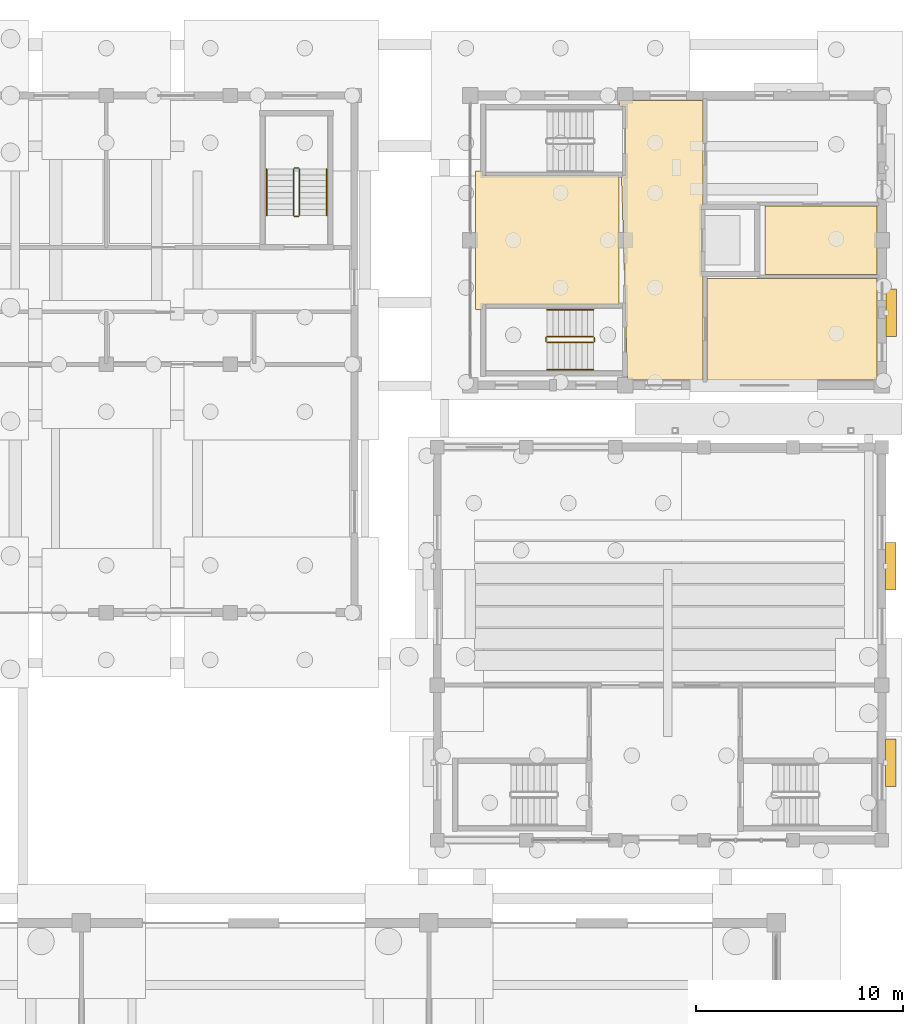
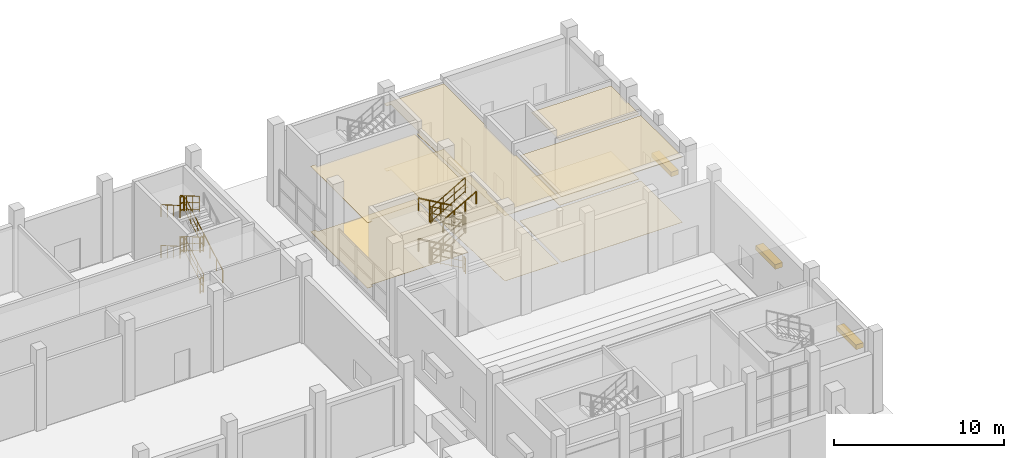
# One storey, part 58 of 60: 22 railings, 8 coverings, 3 shading devices.
"""IFC4 building model written with IfcOpenShell, lengths in metres."""

import ifcopenshell
import ifcopenshell.guid

model = None  # the IFC model being written
_history = None  # IfcOwnerHistory: only IFC2X3 demands one
_inside = {}  # id of a spatial element -> (the spatial element, [elements in it])
_under = {}  # id of a project, library or spatial element -> (it, [spatial elements below it])
_declared = {}  # id of a project -> (the project, [libraries it declares])
_typed = {}  # id of a type object -> (the type object, [elements of that type])
_made_of = {}  # id of a material, layer set ... -> (it, [elements and type objects made of it])


def new_model(schema):
    """Start an empty IFC model of exactly this schema.

    Asked for "IFC4X3", IfcOpenShell would pick the latest addendum, in which some entities
    have other attributes; the version numbers below select the first issue.
    IFC2X3 requires an IfcOwnerHistory on every rooted entity: one is made here for all.
    """
    global model, _history
    if schema == "IFC4X3":
        model = ifcopenshell.file(schema_version=(4, 3, 0, 0))
    else:
        model = ifcopenshell.file(schema=schema)
    _inside.clear()
    _under.clear()
    _declared.clear()
    _typed.clear()
    _made_of.clear()
    _history = None
    if model.schema == "IFC2X3":
        org = make("IfcOrganization", Name="unknown")
        user = make(
            "IfcPersonAndOrganization",
            ThePerson=make("IfcPerson", FamilyName="unknown"),
            TheOrganization=org,
        )
        app = make(
            "IfcApplication",
            ApplicationDeveloper=org,
            Version="unknown",
            ApplicationFullName="unknown",
            ApplicationIdentifier="unknown",
        )
        _history = make(
            "IfcOwnerHistory",
            OwningUser=user,
            OwningApplication=app,
            ChangeAction="ADDED",
            CreationDate=0,
        )
    return model


def make(cls, **values):
    """One entity of the class cls with the attributes given. An attribute that is None is left unset."""
    return model.create_entity(
        cls, **{name: value for name, value in values.items() if value is not None}
    )


def rooted(cls, **values):
    """An entity with a GlobalId (a new one), such as an element, a storey or a relation."""
    return make(cls, GlobalId=ifcopenshell.guid.new(), OwnerHistory=_history, **values)


def si_unit(unit_type, name, prefix=None):
    """IfcSIUnit, for example si_unit("LENGTHUNIT", "METRE", prefix="MILLI")."""
    return make("IfcSIUnit", UnitType=unit_type, Prefix=prefix, Name=name)


def assignment(units):
    """IfcUnitAssignment: the units of a project."""
    return None if units is None else make("IfcUnitAssignment", Units=units)


def point(xyz):
    """IfcCartesianPoint."""
    return None if xyz is None else make("IfcCartesianPoint", Coordinates=xyz)


def direction(xyz):
    """IfcDirection."""
    return None if xyz is None else make("IfcDirection", DirectionRatios=xyz)


def frame(location, z_axis=None, x_axis=None):
    """IfcAxis2Placement3D, a coordinate frame: its origin and axes. An axis left out is left unset."""
    return make(
        "IfcAxis2Placement3D",
        Location=point(location),
        Axis=direction(z_axis),
        RefDirection=direction(x_axis),
    )


def frame_2d(location, x_axis=None):
    """IfcAxis2Placement2D, a coordinate frame in the plane: its origin and x axis."""
    return make(
        "IfcAxis2Placement2D", Location=point(location), RefDirection=direction(x_axis)
    )


def origin():
    """The frame at (0, 0, 0) with its axes left unset."""
    return frame((0.0, 0.0, 0.0))


def origin_2d():
    """The frame at (0, 0) in the plane with its x axis left unset."""
    return frame_2d((0.0, 0.0))


def place(relative_to, where):
    """IfcLocalPlacement: puts the frame where relative to a parent placement (None: the world)."""
    return make(
        "IfcLocalPlacement", PlacementRelTo=relative_to, RelativePlacement=where
    )


def context(
    kind, dimensions, precision=None, world=None, true_north=None, identifier=None
):
    """IfcGeometricRepresentationContext, for example the 3D "Model" context."""
    return make(
        "IfcGeometricRepresentationContext",
        ContextIdentifier=identifier,
        ContextType=kind,
        CoordinateSpaceDimension=dimensions,
        Precision=precision,
        WorldCoordinateSystem=world,
        TrueNorth=true_north,
    )


def subcontext(parent, identifier, kind, view, scale=None):
    """IfcGeometricRepresentationSubContext, for example "Body" below "Model"."""
    return make(
        "IfcGeometricRepresentationSubContext",
        ContextIdentifier=identifier,
        ContextType=kind,
        ParentContext=parent,
        TargetScale=scale,
        TargetView=view,
    )


def project(units=None, contexts=None):
    """IfcProject with its units and contexts."""
    return rooted(
        "IfcProject",
        Name="project",
        RepresentationContexts=contexts,
        UnitsInContext=assignment(units),
    )


def spatial(cls, under=None, at=None, **own):
    """A site, building, storey or space (cls), placed at a placement, below another one or the project."""
    s = rooted(cls, ObjectPlacement=at, **own)
    if under is not None:
        _under.setdefault(under.id(), (under, []))[1].append(s)
    return s


def polyline(points):
    """IfcPolyline through the points."""
    return make("IfcPolyline", Points=[point(p) for p in points])


def profile(cls, at=None, kind="AREA", **sizes):
    """A parametric profile (cls). Its sizes go by their IFC names, for example OverallWidth=200.0."""
    return make(cls, ProfileType=kind, Position=at, **sizes)


def rectangle(**sizes):
    """IfcRectangleProfileDef."""
    return profile("IfcRectangleProfileDef", **sizes)


def circle(**sizes):
    """IfcCircleProfileDef."""
    return profile("IfcCircleProfileDef", **sizes)


def outline(outer, holes=None, kind="AREA"):
    """IfcArbitraryClosedProfileDef: a profile drawn as a closed curve; with holes, ...WithVoids."""
    if holes is None:
        return make("IfcArbitraryClosedProfileDef", ProfileType=kind, OuterCurve=outer)
    return make(
        "IfcArbitraryProfileDefWithVoids",
        ProfileType=kind,
        OuterCurve=outer,
        InnerCurves=holes,
    )


def extrude(swept, where, along, depth):
    """IfcExtrudedAreaSolid: the profile swept, set in the frame where, extruded along a direction by depth."""
    return make(
        "IfcExtrudedAreaSolid",
        SweptArea=swept,
        Position=where,
        ExtrudedDirection=direction(along),
        Depth=depth,
    )


def shape(context_of_items, identifier, shape_type, items):
    """IfcShapeRepresentation: the items that make up one representation, for example the "Body"."""
    return make(
        "IfcShapeRepresentation",
        ContextOfItems=context_of_items,
        RepresentationIdentifier=identifier,
        RepresentationType=shape_type,
        Items=items,
    )


def material(Name=None, Category=None):
    """IfcMaterial."""
    return make("IfcMaterial", Name=Name, Category=Category)


def layer(
    of_material, thickness, ventilated=None, Name=None, Category=None, Priority=None
):
    """IfcMaterialLayer: one layer of a wall or slab, of a material (None: an air gap)."""
    return make(
        "IfcMaterialLayer",
        Material=of_material,
        LayerThickness=thickness,
        IsVentilated=ventilated,
        Name=Name,
        Category=Category,
        Priority=Priority,
    )


def layer_set(layers, Name=None):
    """IfcMaterialLayerSet."""
    return make("IfcMaterialLayerSet", MaterialLayers=layers, LayerSetName=Name)


def made_of(thing, what):
    """Note that an element or type object is made of a material, layer set ...; save() writes the relation."""
    if what is not None:
        _made_of.setdefault(what.id(), (what, []))[1].append(thing)
    return thing


def type_object(cls, material=None, **own):
    """A type object (cls), such as IfcWallType, which elements share."""
    return made_of(rooted(cls, **own), material)


def element(
    cls,
    number,
    at=None,
    inside=None,
    cuts=None,
    type_object=None,
    material=None,
    context=None,
    identifier="Body",
    shape_type=None,
    held_by="IfcProductDefinitionShape",
    body=None,
    shapes=None,
    **own,
):
    """One element of the class cls, such as IfcWall. Its Tag is "e" and its number.

    at: its placement. inside: the storey or other place that contains it. cuts: it is an
    opening in that element (IfcRelVoidsElement). A single representation is given by context,
    identifier, shape_type and body (its items); several are given by shapes. held_by: the class
    of the entity that holds the representations. save() writes the other relations.
    """
    e = rooted(cls, Tag="e%d" % number, ObjectPlacement=at, **own)
    if body is not None:
        shapes = [shape(context, identifier, shape_type, body)]
    if shapes is not None:
        e.Representation = make(held_by, Representations=shapes)
    if inside is not None:
        _inside.setdefault(inside.id(), (inside, []))[1].append(e)
    if cuts is not None:
        rooted(
            "IfcRelVoidsElement", RelatingBuildingElement=cuts, RelatedOpeningElement=e
        )
    if type_object is not None:
        _typed.setdefault(type_object.id(), (type_object, []))[1].append(e)
    return made_of(e, material)


def aggregate(whole, parts):
    """IfcRelAggregates: a whole, such as a stair, and the parts it consists of."""
    return rooted("IfcRelAggregates", RelatingObject=whole, RelatedObjects=parts)


def save(model, path):
    """Write the relations noted so far, then the file.

    IfcRelAggregates (storeys below a building ...), IfcRelContainedInSpatialStructure (elements
    in a storey), IfcRelDefinesByType, IfcRelAssociatesMaterial and IfcRelDeclares: one each for
    every whole, place, type object, material and project.
    """
    for whole, parts in _under.values():
        aggregate(whole, parts)
    for where, things in _inside.values():
        rooted(
            "IfcRelContainedInSpatialStructure",
            RelatedElements=things,
            RelatingStructure=where,
        )
    for kind, things in _typed.values():
        rooted("IfcRelDefinesByType", RelatedObjects=things, RelatingType=kind)
    for what, things in _made_of.values():
        rooted("IfcRelAssociatesMaterial", RelatedObjects=things, RelatingMaterial=what)
    for by, libraries in _declared.values():
        rooted("IfcRelDeclares", RelatingContext=by, RelatedDefinitions=libraries)
    model.write(path)


model = new_model("IFC4")

# Units and contexts
model_context = context("Model", 3, precision=1e-05, world=origin(), true_north=direction((0.0, 1.0)))
body_context = subcontext(model_context, "Body", "Model", "MODEL_VIEW")
ifc_project = project(units=[si_unit("LENGTHUNIT", "METRE"), si_unit("AREAUNIT", "SQUARE_METRE"), si_unit("VOLUMEUNIT", "CUBIC_METRE"), si_unit("PLANEANGLEUNIT", "RADIAN"), si_unit("MASSUNIT", "GRAM", prefix="KILO")], contexts=[model_context])

# Site, building, storey
site_placement = place(None, origin())
site = spatial("IfcSite", under=ifc_project, at=site_placement, CompositionType="ELEMENT")
building_placement = place(site_placement, origin())
building = spatial("IfcBuilding", under=site, at=building_placement, Name="Trellovar Central Fire Station", CompositionType="ELEMENT")
storey_placement = place(building_placement, origin())
storey = spatial("IfcBuildingStorey", under=building, at=storey_placement, Name="L01", CompositionType="ELEMENT", Elevation=0.0)

# Coverings
ifc_material_1 = material(Name="Perforated acoustic mineral fiber ceiling tile", Category="mineral")
ifc_layer_1 = layer(ifc_material_1, 0.02490234375)
ifc_layer_set_1 = layer_set([ifc_layer_1], Name="Perforated acoustic mineral fiber ceiling tile")
covering_type_1 = type_object("IfcCoveringType", Name="COV-CLG1", PredefinedType="CEILING", material=ifc_layer_set_1)
covering_1_placement = place(storey_placement, frame((0.0, 0.0, 4.679931640625)))
element("IfcCovering", 1, at=covering_1_placement, inside=storey, type_object=covering_type_1, Name="Drill Tower Protected Exit Lobby suspended ceiling", PredefinedType="CEILING", context=body_context, shape_type="SweptSolid", body=[
    extrude(outline(polyline([(148.699951171875, 59.25), (148.610107421875, 62.287109375), (148.610107421875, 62.860107421875), (148.593017578125, 62.860107421875), (148.406982421875, 69.139892578125), (148.610107421875, 69.139892578125), (148.610107421875, 72.4599609375), (148.30908203125, 72.4599609375), (148.300048828125, 72.75), (152.35009765625, 72.75), (152.35009765625, 67.659912109375), (152.2900390625, 67.659912109375), (152.2900390625, 64.340087890625), (152.35009765625, 64.340087890625), (152.35009765625, 59.25), (148.699951171875, 59.25)])), origin(), (0.0, 0.0, 1.0), 0.025146484375),
])
covering_2_placement = place(storey_placement, frame((0.0, 0.0, 4.679931640625)))
element("IfcCovering", 2, at=covering_2_placement, inside=storey, type_object=covering_type_1, Name="Fire Command and Standpipe Control Room suspended ceiling", PredefinedType="CEILING", context=body_context, shape_type="SweptSolid", body=[
    extrude(outline(polyline([(141.68994140625, 69.139892578125), (148.300048828125, 69.139892578125), (148.300048828125, 62.860107421875), (141.68994140625, 62.860107421875), (141.68994140625, 62.64990234375), (141.35009765625, 62.64990234375), (141.35009765625, 69.35009765625), (141.68994140625, 69.35009765625), (141.68994140625, 69.139892578125)])), origin(), (0.0, 0.0, 1.0), 0.025146484375),
])
covering_3_placement = place(storey_placement, frame((0.0, 0.0, 4.679931640625)))
element("IfcCovering", 3, at=covering_3_placement, inside=storey, type_object=covering_type_1, Name="Hose Washing and Rack Staging Hall suspended ceiling", PredefinedType="CEILING", context=body_context, shape_type="SweptSolid", body=[
    extrude(outline(polyline([(160.75, 59.25), (152.550048828125, 59.25), (152.550048828125, 64.14990234375), (160.75, 64.14990234375), (160.75, 59.25)])), origin(), (0.0, 0.0, 1.0), 0.025146484375),
])
ifc_material_2 = material(Name="Moisture-resistant gypsum ceiling board", Category="gypsum")
ifc_layer_2 = layer(ifc_material_2, 0.030029296875)
ifc_layer_set_2 = layer_set([ifc_layer_2], Name="Moisture-resistant gypsum ceiling board")
covering_type_2 = type_object("IfcCoveringType", Name="COV-CLG2", PredefinedType="CEILING", material=ifc_layer_set_2)
covering_4_placement = place(storey_placement, frame((0.0, 0.0, 4.679931640625)))
element("IfcCovering", 4, at=covering_4_placement, inside=storey, type_object=covering_type_2, Name="Tower Ground Accessible WC suspended ceiling", PredefinedType="CEILING", context=body_context, shape_type="SweptSolid", body=[
    extrude(outline(polyline([(160.75, 64.35009765625), (155.35009765625, 64.35009765625), (155.35009765625, 67.64990234375), (160.75, 67.64990234375), (160.75, 64.35009765625)])), origin(), (0.0, 0.0, 1.0), 0.030029296875),
])
ifc_material_3 = material(Name="Vitrified Catalan ceramic floor tile", Category="masonry")
ifc_layer_3 = layer(ifc_material_3, 0.01806640625)
ifc_layer_set_3 = layer_set([ifc_layer_3], Name="Vitrified Catalan ceramic floor tile")
covering_type_3 = type_object("IfcCoveringType", Name="COV-FLR2", PredefinedType="FLOORING", material=ifc_layer_set_3)
covering_5_placement = place(storey_placement, origin())
element("IfcCovering", 5, at=covering_5_placement, inside=storey, type_object=covering_type_3, Name="Drill Tower Protected Exit Lobby floor finish", PredefinedType="FLOORING", context=body_context, shape_type="SweptSolid", body=[
    extrude(outline(polyline([(148.699951171875, 59.25), (148.610107421875, 62.287109375), (148.610107421875, 62.860107421875), (148.593017578125, 62.860107421875), (148.406982421875, 69.139892578125), (148.610107421875, 69.139892578125), (148.610107421875, 72.4599609375), (148.30908203125, 72.4599609375), (148.300048828125, 72.75), (152.35009765625, 72.75), (152.35009765625, 67.659912109375), (152.2900390625, 67.659912109375), (152.2900390625, 64.340087890625), (152.35009765625, 64.340087890625), (152.35009765625, 59.25), (148.699951171875, 59.25)])), origin(), (0.0, 0.0, 1.0), 0.01806640625),
])
covering_6_placement = place(storey_placement, origin())
element("IfcCovering", 6, at=covering_6_placement, inside=storey, type_object=covering_type_3, Name="Fire Command and Standpipe Control Room floor finish", PredefinedType="FLOORING", context=body_context, shape_type="SweptSolid", body=[
    extrude(outline(polyline([(141.68994140625, 69.139892578125), (148.300048828125, 69.139892578125), (148.300048828125, 62.860107421875), (141.68994140625, 62.860107421875), (141.68994140625, 62.64990234375), (141.35009765625, 62.64990234375), (141.35009765625, 69.35009765625), (141.68994140625, 69.35009765625), (141.68994140625, 69.139892578125)])), origin(), (0.0, 0.0, 1.0), 0.01806640625),
])
covering_7_placement = place(storey_placement, origin())
element("IfcCovering", 7, at=covering_7_placement, inside=storey, type_object=covering_type_3, Name="Hose Washing and Rack Staging Hall floor finish", PredefinedType="FLOORING", context=body_context, shape_type="SweptSolid", body=[
    extrude(outline(polyline([(160.75, 59.25), (152.550048828125, 59.25), (152.550048828125, 64.14990234375), (160.75, 64.14990234375), (160.75, 59.25)])), origin(), (0.0, 0.0, 1.0), 0.01806640625),
])
covering_8_placement = place(storey_placement, origin())
element("IfcCovering", 8, at=covering_8_placement, inside=storey, type_object=covering_type_3, Name="Tower Ground Accessible WC floor finish", PredefinedType="FLOORING", context=body_context, shape_type="SweptSolid", body=[
    extrude(outline(polyline([(160.75, 64.35009765625), (155.35009765625, 64.35009765625), (155.35009765625, 67.64990234375), (160.75, 67.64990234375), (160.75, 64.35009765625)])), origin(), (0.0, 0.0, 1.0), 0.01806640625),
])

# Railings
ifc_material_4 = material(Name="Patina bronze wrought metalwork", Category="metal")
ifc_layer_4 = layer(ifc_material_4, 0.048095703125)
ifc_layer_set_4 = layer_set([ifc_layer_4], Name="Patina bronze wrought metalwork")
railing_type_1 = type_object("IfcRailingType", Name="RL-STAIR", PredefinedType="HANDRAIL", material=ifc_layer_set_4)
railing_1_placement = place(storey_placement, frame((147.050048828125, 62.64990234375, 0.16259765625)))
element("IfcRailing", 9, at=railing_1_placement, inside=storey, type_object=railing_type_1, Name="L01 ST-05 stair handrail 1", PredefinedType="HANDRAIL", context=body_context, shape_type="SweptSolid", body=[
    extrude(circle(Radius=0.02392578125, at=origin_2d()), frame((0.0, 0.0, 0.8759765625), z_axis=(-0.864928887719, 0.0, 0.501894430323), x_axis=(0.0, -1.0, 0.0)), (0.0, 0.0, 1.0), 2.58984375),
    extrude(circle(Radius=0.02099609375, at=origin_2d()), origin(), (0.0, 0.0, 1.0), 0.851806640625),
    extrude(circle(Radius=0.02099609375, at=origin_2d()), frame((-0.74658203125, 0.0, 0.433349609375)), (0.0, 0.0, 1.0), 0.851806640625),
    extrude(circle(Radius=0.02099609375, at=origin_2d()), frame((-1.493408203125, 0.0, 0.866455078125)), (0.0, 0.0, 1.0), 0.851806640625),
    extrude(circle(Radius=0.02099609375, at=origin_2d()), frame((-2.239990234375, 0.0, 1.2998046875)), (0.0, 0.0, 1.0), 0.851806640625),
])
railing_2_placement = place(storey_placement, frame((147.050048828125, 62.64990234375, 3.08740234375)))
element("IfcRailing", 10, at=railing_2_placement, inside=storey, type_object=railing_type_1, Name="L01 ST-05 stair handrail 3", PredefinedType="HANDRAIL", context=body_context, shape_type="SweptSolid", body=[
    extrude(circle(Radius=0.02392578125, at=origin_2d()), frame((0.0, 0.0, 0.8759765625), z_axis=(-0.864887963814, 0.0, 0.501964949025), x_axis=(0.0, -1.0, 0.0)), (0.0, 0.0, 1.0), 2.58984375),
    extrude(circle(Radius=0.02099609375, at=origin_2d()), origin(), (0.0, 0.0, 1.0), 0.851806640625),
    extrude(circle(Radius=0.02099609375, at=origin_2d()), frame((-0.74658203125, 0.0, 0.433349609375)), (0.0, 0.0, 1.0), 0.851806640625),
    extrude(circle(Radius=0.02099609375, at=origin_2d()), frame((-1.493408203125, 0.0, 0.86669921875)), (0.0, 0.0, 1.0), 0.851806640625),
    extrude(circle(Radius=0.02099609375, at=origin_2d()), frame((-2.239990234375, 0.0, 1.300048828125)), (0.0, 0.0, 1.0), 0.851806640625),
])
railing_3_placement = place(storey_placement, frame((144.81005859375, 59.75, 4.550048828125)))
element("IfcRailing", 11, at=railing_3_placement, inside=storey, type_object=railing_type_1, Name="L01 ST-05 stair handrail 4", PredefinedType="HANDRAIL", context=body_context, shape_type="SweptSolid", body=[
    extrude(circle(Radius=0.02392578125, at=origin_2d()), frame((0.0, 0.0, 0.8759765625), z_axis=(0.864887963814, 0.0, 0.501964949025), x_axis=(0.0, 1.0, 0.0)), (0.0, 0.0, 1.0), 2.58984375),
    extrude(circle(Radius=0.02099609375, at=origin_2d()), origin(), (0.0, 0.0, 1.0), 0.851806640625),
    extrude(circle(Radius=0.02099609375, at=origin_2d()), frame((0.74658203125, 0.0, 0.433349609375)), (0.0, 0.0, 1.0), 0.851806640625),
    extrude(circle(Radius=0.02099609375, at=origin_2d()), frame((1.493408203125, 0.0, 0.86669921875)), (0.0, 0.0, 1.0), 0.851806640625),
    extrude(circle(Radius=0.02099609375, at=origin_2d()), frame((2.239990234375, 0.0, 1.300048828125)), (0.0, 0.0, 1.0), 0.851806640625),
])
railing_4_placement = place(storey_placement, frame((134.14990234375, 67.199951171875, 0.16259765625)))
element("IfcRailing", 12, at=railing_4_placement, inside=storey, type_object=railing_type_1, Name="L01 ST-08 stair handrail 1", PredefinedType="HANDRAIL", context=body_context, shape_type="SweptSolid", body=[
    extrude(circle(Radius=0.02392578125, at=origin_2d()), frame((0.0, 0.0, 0.8759765625), z_axis=(0.0, 0.864928887719, 0.501894430323), x_axis=(-1.0, 0.0, 0.0)), (0.0, 0.0, 1.0), 2.58984375),
    extrude(circle(Radius=0.02099609375, at=origin_2d()), origin(), (0.0, 0.0, 1.0), 0.851806640625),
    extrude(circle(Radius=0.02099609375, at=origin_2d()), frame((0.0, 0.74658203125, 0.433349609375)), (0.0, 0.0, 1.0), 0.851806640625),
    extrude(circle(Radius=0.02099609375, at=origin_2d()), frame((0.0, 1.493408203125, 0.866455078125)), (0.0, 0.0, 1.0), 0.851806640625),
    extrude(circle(Radius=0.02099609375, at=origin_2d()), frame((0.0, 2.239990234375, 1.2998046875)), (0.0, 0.0, 1.0), 0.851806640625),
])
for number, where, name in (
    (13, (131.25, 69.43994140625, 1.625), "L01 ST-08 stair handrail 2"),
    (14, (131.25, 69.43994140625, 4.550048828125), "L01 ST-08 stair handrail 4"),
):
    element("IfcRailing", number, at=place(storey_placement, frame(where)), inside=storey, type_object=railing_type_1, Name=name, PredefinedType="HANDRAIL", context=body_context, shape_type="SweptSolid", body=[
        extrude(circle(Radius=0.02392578125, at=origin_2d()), frame((0.0, 0.0, 0.8759765625), z_axis=(0.0, -0.864887963814, 0.501964949025), x_axis=(1.0, 0.0, 0.0)), (0.0, 0.0, 1.0), 2.58984375),
        extrude(circle(Radius=0.02099609375, at=origin_2d()), origin(), (0.0, 0.0, 1.0), 0.851806640625),
        extrude(circle(Radius=0.02099609375, at=origin_2d()), frame((0.0, -0.74658203125, 0.433349609375)), (0.0, 0.0, 1.0), 0.851806640625),
        extrude(circle(Radius=0.02099609375, at=origin_2d()), frame((0.0, -1.493408203125, 0.86669921875)), (0.0, 0.0, 1.0), 0.851806640625),
        extrude(circle(Radius=0.02099609375, at=origin_2d()), frame((0.0, -2.239990234375, 1.300048828125)), (0.0, 0.0, 1.0), 0.851806640625),
    ])
ifc_material_5 = material(Name="Patina bronze wrought metalwork", Category="metal")
ifc_layer_5 = layer(ifc_material_5, 0.050048828125)
ifc_layer_set_5 = layer_set([ifc_layer_5], Name="Patina bronze wrought metalwork")
railing_type_2 = type_object("IfcRailingType", Name="RL-STGUARD", PredefinedType="GUARDRAIL", material=ifc_layer_set_5)
railing_5_placement = place(storey_placement, frame((147.050048828125, 61.35009765625, 0.16259765625)))
element("IfcRailing", 15, at=railing_5_placement, inside=storey, type_object=railing_type_2, Name="L01 ST-05 stair guard 1", PredefinedType="GUARDRAIL", context=body_context, shape_type="SweptSolid", body=[
    extrude(circle(Radius=0.02392578125, at=origin_2d()), frame((0.0, 0.0, 1.076171875), z_axis=(-0.864928887719, 0.0, 0.501894430323), x_axis=(0.0, -1.0, 0.0)), (0.0, 0.0, 1.0), 2.58984375),
    extrude(circle(Radius=0.015625, at=origin_2d()), frame((0.0, 0.0, 0.10009765625), z_axis=(-0.864928887719, 0.0, 0.501894430323), x_axis=(0.0, -1.0, 0.0)), (0.0, 0.0, 1.0), 2.58984375),
    extrude(circle(Radius=0.015625, at=origin_2d()), frame((0.0, 0.0, 0.60498046875), z_axis=(-0.864928887719, 0.0, 0.501894430323), x_axis=(0.0, -1.0, 0.0)), (0.0, 0.0, 1.0), 2.58984375),
    extrude(circle(Radius=0.02099609375, at=origin_2d()), origin(), (0.0, 0.0, 1.0), 1.052001953125),
    extrude(circle(Radius=0.02099609375, at=origin_2d()), frame((-0.74658203125, 0.0, 0.433349609375)), (0.0, 0.0, 1.0), 1.052001953125),
    extrude(circle(Radius=0.02099609375, at=origin_2d()), frame((-1.493408203125, 0.0, 0.866455078125)), (0.0, 0.0, 1.0), 1.052001953125),
    extrude(circle(Radius=0.02099609375, at=origin_2d()), frame((-2.239990234375, 0.0, 1.2998046875)), (0.0, 0.0, 1.0), 1.052001953125),
])
railing_6_placement = place(storey_placement, frame((144.760009765625, 61.300048828125, 1.46240234375)))
element("IfcRailing", 16, at=railing_6_placement, inside=storey, type_object=railing_type_2, Name="L01 ST-05 stair guard 2", PredefinedType="GUARDRAIL", context=body_context, shape_type="SweptSolid", body=[
    extrude(circle(Radius=0.02392578125, at=origin_2d()), frame((0.0, 0.0, 1.076171875), z_axis=(0.0, -1.0, 0.0), x_axis=(1.0, 0.0, 0.0)), (0.0, 0.0, 1.0), 0.199951171875),
    extrude(circle(Radius=0.015625, at=origin_2d()), frame((0.0, 0.0, 0.10009765625), z_axis=(0.0, -1.0, 0.0), x_axis=(1.0, 0.0, 0.0)), (0.0, 0.0, 1.0), 0.199951171875),
    extrude(circle(Radius=0.015625, at=origin_2d()), frame((0.0, 0.0, 0.60498046875), z_axis=(0.0, -1.0, 0.0), x_axis=(1.0, 0.0, 0.0)), (0.0, 0.0, 1.0), 0.199951171875),
    extrude(circle(Radius=0.02099609375, at=origin_2d()), origin(), (0.0, 0.0, 1.0), 1.052001953125),
    extrude(circle(Radius=0.02099609375, at=origin_2d()), frame((0.0, -0.199951171875, 0.0)), (0.0, 0.0, 1.0), 1.052001953125),
])
railing_7_placement = place(storey_placement, frame((144.81005859375, 61.050048828125, 1.625)))
element("IfcRailing", 17, at=railing_7_placement, inside=storey, type_object=railing_type_2, Name="L01 ST-05 stair guard 3", PredefinedType="GUARDRAIL", context=body_context, shape_type="SweptSolid", body=[
    extrude(circle(Radius=0.02392578125, at=origin_2d()), frame((0.0, 0.0, 1.076171875), z_axis=(0.864887963814, 0.0, 0.501964949025), x_axis=(0.0, 1.0, 0.0)), (0.0, 0.0, 1.0), 2.58984375),
    extrude(circle(Radius=0.015625, at=origin_2d()), frame((0.0, 0.0, 0.10009765625), z_axis=(0.864887963814, 0.0, 0.501964949025), x_axis=(0.0, 1.0, 0.0)), (0.0, 0.0, 1.0), 2.58984375),
    extrude(circle(Radius=0.015625, at=origin_2d()), frame((0.0, 0.0, 0.60498046875), z_axis=(0.864887963814, 0.0, 0.501964949025), x_axis=(0.0, 1.0, 0.0)), (0.0, 0.0, 1.0), 2.58984375),
    extrude(circle(Radius=0.02099609375, at=origin_2d()), origin(), (0.0, 0.0, 1.0), 1.052001953125),
    extrude(circle(Radius=0.02099609375, at=origin_2d()), frame((0.74658203125, 0.0, 0.433349609375)), (0.0, 0.0, 1.0), 1.052001953125),
    extrude(circle(Radius=0.02099609375, at=origin_2d()), frame((1.493408203125, 0.0, 0.86669921875)), (0.0, 0.0, 1.0), 1.052001953125),
    extrude(circle(Radius=0.02099609375, at=origin_2d()), frame((2.239990234375, 0.0, 1.300048828125)), (0.0, 0.0, 1.0), 1.052001953125),
])
railing_8_placement = place(storey_placement, frame((147.10009765625, 61.300048828125, 2.925048828125)))
element("IfcRailing", 18, at=railing_8_placement, inside=storey, type_object=railing_type_2, Name="L01 ST-05 stair guard 4", PredefinedType="GUARDRAIL", context=body_context, shape_type="SweptSolid", body=[
    extrude(circle(Radius=0.02392578125, at=origin_2d()), frame((0.0, 0.0, 1.076171875), z_axis=(0.0, -1.0, 0.0), x_axis=(1.0, 0.0, 0.0)), (0.0, 0.0, 1.0), 0.199951171875),
    extrude(circle(Radius=0.015625, at=origin_2d()), frame((0.0, 0.0, 0.10009765625), z_axis=(0.0, -1.0, 0.0), x_axis=(1.0, 0.0, 0.0)), (0.0, 0.0, 1.0), 0.199951171875),
    extrude(circle(Radius=0.015625, at=origin_2d()), frame((0.0, 0.0, 0.60498046875), z_axis=(0.0, -1.0, 0.0), x_axis=(1.0, 0.0, 0.0)), (0.0, 0.0, 1.0), 0.199951171875),
    extrude(circle(Radius=0.02099609375, at=origin_2d()), origin(), (0.0, 0.0, 1.0), 1.052001953125),
    extrude(circle(Radius=0.02099609375, at=origin_2d()), frame((0.0, -0.199951171875, 0.0)), (0.0, 0.0, 1.0), 1.052001953125),
])
railing_9_placement = place(storey_placement, frame((147.050048828125, 61.35009765625, 3.08740234375)))
element("IfcRailing", 19, at=railing_9_placement, inside=storey, type_object=railing_type_2, Name="L01 ST-05 stair guard 5", PredefinedType="GUARDRAIL", context=body_context, shape_type="SweptSolid", body=[
    extrude(circle(Radius=0.02392578125, at=origin_2d()), frame((0.0, 0.0, 1.076171875), z_axis=(-0.864887963814, 0.0, 0.501964949025), x_axis=(0.0, -1.0, 0.0)), (0.0, 0.0, 1.0), 2.58984375),
    extrude(circle(Radius=0.015625, at=origin_2d()), frame((0.0, 0.0, 0.10009765625), z_axis=(-0.864887963814, 0.0, 0.501964949025), x_axis=(0.0, -1.0, 0.0)), (0.0, 0.0, 1.0), 2.58984375),
    extrude(circle(Radius=0.015625, at=origin_2d()), frame((0.0, 0.0, 0.60498046875), z_axis=(-0.864887963814, 0.0, 0.501964949025), x_axis=(0.0, -1.0, 0.0)), (0.0, 0.0, 1.0), 2.58984375),
    extrude(circle(Radius=0.02099609375, at=origin_2d()), origin(), (0.0, 0.0, 1.0), 1.052001953125),
    extrude(circle(Radius=0.02099609375, at=origin_2d()), frame((-0.74658203125, 0.0, 0.433349609375)), (0.0, 0.0, 1.0), 1.052001953125),
    extrude(circle(Radius=0.02099609375, at=origin_2d()), frame((-1.493408203125, 0.0, 0.86669921875)), (0.0, 0.0, 1.0), 1.052001953125),
    extrude(circle(Radius=0.02099609375, at=origin_2d()), frame((-2.239990234375, 0.0, 1.300048828125)), (0.0, 0.0, 1.0), 1.052001953125),
])
railing_10_placement = place(storey_placement, frame((144.760009765625, 61.300048828125, 4.387451171875)))
element("IfcRailing", 20, at=railing_10_placement, inside=storey, type_object=railing_type_2, Name="L01 ST-05 stair guard 6", PredefinedType="GUARDRAIL", context=body_context, shape_type="SweptSolid", body=[
    extrude(circle(Radius=0.02392578125, at=origin_2d()), frame((0.0, 0.0, 1.076171875), z_axis=(0.0, -1.0, 0.0), x_axis=(1.0, 0.0, 0.0)), (0.0, 0.0, 1.0), 0.199951171875),
    extrude(circle(Radius=0.015625, at=origin_2d()), frame((0.0, 0.0, 0.10009765625), z_axis=(0.0, -1.0, 0.0), x_axis=(1.0, 0.0, 0.0)), (0.0, 0.0, 1.0), 0.199951171875),
    extrude(circle(Radius=0.015625, at=origin_2d()), frame((0.0, 0.0, 0.60498046875), z_axis=(0.0, -1.0, 0.0), x_axis=(1.0, 0.0, 0.0)), (0.0, 0.0, 1.0), 0.199951171875),
    extrude(circle(Radius=0.02099609375, at=origin_2d()), origin(), (0.0, 0.0, 1.0), 1.052001953125),
    extrude(circle(Radius=0.02099609375, at=origin_2d()), frame((0.0, -0.199951171875, 0.0)), (0.0, 0.0, 1.0), 1.052001953125),
])
railing_11_placement = place(storey_placement, frame((144.81005859375, 61.050048828125, 4.550048828125)))
element("IfcRailing", 21, at=railing_11_placement, inside=storey, type_object=railing_type_2, Name="L01 ST-05 stair guard 7", PredefinedType="GUARDRAIL", context=body_context, shape_type="SweptSolid", body=[
    extrude(circle(Radius=0.02392578125, at=origin_2d()), frame((0.0, 0.0, 1.076171875), z_axis=(0.864887963814, 0.0, 0.501964949025), x_axis=(0.0, 1.0, 0.0)), (0.0, 0.0, 1.0), 2.58984375),
    extrude(circle(Radius=0.015625, at=origin_2d()), frame((0.0, 0.0, 0.10009765625), z_axis=(0.864887963814, 0.0, 0.501964949025), x_axis=(0.0, 1.0, 0.0)), (0.0, 0.0, 1.0), 2.58984375),
    extrude(circle(Radius=0.015625, at=origin_2d()), frame((0.0, 0.0, 0.60498046875), z_axis=(0.864887963814, 0.0, 0.501964949025), x_axis=(0.0, 1.0, 0.0)), (0.0, 0.0, 1.0), 2.58984375),
    extrude(circle(Radius=0.02099609375, at=origin_2d()), origin(), (0.0, 0.0, 1.0), 1.052001953125),
    extrude(circle(Radius=0.02099609375, at=origin_2d()), frame((0.74658203125, 0.0, 0.433349609375)), (0.0, 0.0, 1.0), 1.052001953125),
    extrude(circle(Radius=0.02099609375, at=origin_2d()), frame((1.493408203125, 0.0, 0.86669921875)), (0.0, 0.0, 1.0), 1.052001953125),
    extrude(circle(Radius=0.02099609375, at=origin_2d()), frame((2.239990234375, 0.0, 1.300048828125)), (0.0, 0.0, 1.0), 1.052001953125),
])
railing_12_placement = place(storey_placement, frame((147.10009765625, 61.300048828125, 0.0)))
element("IfcRailing", 22, at=railing_12_placement, inside=storey, type_object=railing_type_2, Name="L01 ST-05 stair guard 8", PredefinedType="GUARDRAIL", context=body_context, shape_type="SweptSolid", body=[
    extrude(circle(Radius=0.02392578125, at=origin_2d()), frame((0.0, 0.0, 1.076171875), z_axis=(0.0, -1.0, 0.0), x_axis=(1.0, 0.0, 0.0)), (0.0, 0.0, 1.0), 0.199951171875),
    extrude(circle(Radius=0.015625, at=origin_2d()), frame((0.0, 0.0, 0.10009765625), z_axis=(0.0, -1.0, 0.0), x_axis=(1.0, 0.0, 0.0)), (0.0, 0.0, 1.0), 0.199951171875),
    extrude(circle(Radius=0.015625, at=origin_2d()), frame((0.0, 0.0, 0.60498046875), z_axis=(0.0, -1.0, 0.0), x_axis=(1.0, 0.0, 0.0)), (0.0, 0.0, 1.0), 0.199951171875),
    extrude(circle(Radius=0.02099609375, at=origin_2d()), origin(), (0.0, 0.0, 1.0), 1.052001953125),
    extrude(circle(Radius=0.02099609375, at=origin_2d()), frame((0.0, -0.199951171875, 0.0)), (0.0, 0.0, 1.0), 1.052001953125),
])
railing_13_placement = place(storey_placement, frame((132.85009765625, 67.199951171875, 0.16259765625)))
element("IfcRailing", 23, at=railing_13_placement, inside=storey, type_object=railing_type_2, Name="L01 ST-08 stair guard 1", PredefinedType="GUARDRAIL", context=body_context, shape_type="SweptSolid", body=[
    extrude(circle(Radius=0.02392578125, at=origin_2d()), frame((0.0, 0.0, 1.076171875), z_axis=(0.0, 0.864928887719, 0.501894430323), x_axis=(-1.0, 0.0, 0.0)), (0.0, 0.0, 1.0), 2.58984375),
    extrude(circle(Radius=0.015625, at=origin_2d()), frame((0.0, 0.0, 0.10009765625), z_axis=(0.0, 0.864928887719, 0.501894430323), x_axis=(-1.0, 0.0, 0.0)), (0.0, 0.0, 1.0), 2.58984375),
    extrude(circle(Radius=0.015625, at=origin_2d()), frame((0.0, 0.0, 0.60498046875), z_axis=(0.0, 0.864928887719, 0.501894430323), x_axis=(-1.0, 0.0, 0.0)), (0.0, 0.0, 1.0), 2.58984375),
    extrude(circle(Radius=0.02099609375, at=origin_2d()), origin(), (0.0, 0.0, 1.0), 1.052001953125),
    extrude(circle(Radius=0.02099609375, at=origin_2d()), frame((0.0, 0.74658203125, 0.433349609375)), (0.0, 0.0, 1.0), 1.052001953125),
    extrude(circle(Radius=0.02099609375, at=origin_2d()), frame((0.0, 1.493408203125, 0.866455078125)), (0.0, 0.0, 1.0), 1.052001953125),
    extrude(circle(Radius=0.02099609375, at=origin_2d()), frame((0.0, 2.239990234375, 1.2998046875)), (0.0, 0.0, 1.0), 1.052001953125),
])
railing_14_placement = place(storey_placement, frame((132.800048828125, 69.489990234375, 1.46240234375)))
element("IfcRailing", 24, at=railing_14_placement, inside=storey, type_object=railing_type_2, Name="L01 ST-08 stair guard 2", PredefinedType="GUARDRAIL", context=body_context, shape_type="SweptSolid", body=[
    extrude(circle(Radius=0.02392578125, at=origin_2d()), frame((0.0, 0.0, 1.076171875), z_axis=(-1.0, 0.0, 0.0), x_axis=(0.0, -1.0, 0.0)), (0.0, 0.0, 1.0), 0.199951171875),
    extrude(circle(Radius=0.015625, at=origin_2d()), frame((0.0, 0.0, 0.10009765625), z_axis=(-1.0, 0.0, 0.0), x_axis=(0.0, -1.0, 0.0)), (0.0, 0.0, 1.0), 0.199951171875),
    extrude(circle(Radius=0.015625, at=origin_2d()), frame((0.0, 0.0, 0.60498046875), z_axis=(-1.0, 0.0, 0.0), x_axis=(0.0, -1.0, 0.0)), (0.0, 0.0, 1.0), 0.199951171875),
    extrude(circle(Radius=0.02099609375, at=origin_2d()), origin(), (0.0, 0.0, 1.0), 1.052001953125),
    extrude(circle(Radius=0.02099609375, at=origin_2d()), frame((-0.199951171875, 0.0, 0.0)), (0.0, 0.0, 1.0), 1.052001953125),
])
railing_15_placement = place(storey_placement, frame((132.550048828125, 69.43994140625, 1.625)))
element("IfcRailing", 25, at=railing_15_placement, inside=storey, type_object=railing_type_2, Name="L01 ST-08 stair guard 3", PredefinedType="GUARDRAIL", context=body_context, shape_type="SweptSolid", body=[
    extrude(circle(Radius=0.02392578125, at=origin_2d()), frame((0.0, 0.0, 1.076171875), z_axis=(0.0, -0.864887963814, 0.501964949025), x_axis=(1.0, 0.0, 0.0)), (0.0, 0.0, 1.0), 2.58984375),
    extrude(circle(Radius=0.015625, at=origin_2d()), frame((0.0, 0.0, 0.10009765625), z_axis=(0.0, -0.864887963814, 0.501964949025), x_axis=(1.0, 0.0, 0.0)), (0.0, 0.0, 1.0), 2.58984375),
    extrude(circle(Radius=0.015625, at=origin_2d()), frame((0.0, 0.0, 0.60498046875), z_axis=(0.0, -0.864887963814, 0.501964949025), x_axis=(1.0, 0.0, 0.0)), (0.0, 0.0, 1.0), 2.58984375),
    extrude(circle(Radius=0.02099609375, at=origin_2d()), origin(), (0.0, 0.0, 1.0), 1.052001953125),
    extrude(circle(Radius=0.02099609375, at=origin_2d()), frame((0.0, -0.74658203125, 0.433349609375)), (0.0, 0.0, 1.0), 1.052001953125),
    extrude(circle(Radius=0.02099609375, at=origin_2d()), frame((0.0, -1.493408203125, 0.86669921875)), (0.0, 0.0, 1.0), 1.052001953125),
    extrude(circle(Radius=0.02099609375, at=origin_2d()), frame((0.0, -2.239990234375, 1.300048828125)), (0.0, 0.0, 1.0), 1.052001953125),
])
railing_16_placement = place(storey_placement, frame((132.800048828125, 67.14990234375, 2.925048828125)))
element("IfcRailing", 26, at=railing_16_placement, inside=storey, type_object=railing_type_2, Name="L01 ST-08 stair guard 4", PredefinedType="GUARDRAIL", context=body_context, shape_type="SweptSolid", body=[
    extrude(circle(Radius=0.02392578125, at=origin_2d()), frame((0.0, 0.0, 1.076171875), z_axis=(-1.0, 0.0, 0.0), x_axis=(0.0, -1.0, 0.0)), (0.0, 0.0, 1.0), 0.199951171875),
    extrude(circle(Radius=0.015625, at=origin_2d()), frame((0.0, 0.0, 0.10009765625), z_axis=(-1.0, 0.0, 0.0), x_axis=(0.0, -1.0, 0.0)), (0.0, 0.0, 1.0), 0.199951171875),
    extrude(circle(Radius=0.015625, at=origin_2d()), frame((0.0, 0.0, 0.60498046875), z_axis=(-1.0, 0.0, 0.0), x_axis=(0.0, -1.0, 0.0)), (0.0, 0.0, 1.0), 0.199951171875),
    extrude(circle(Radius=0.02099609375, at=origin_2d()), origin(), (0.0, 0.0, 1.0), 1.052001953125),
    extrude(circle(Radius=0.02099609375, at=origin_2d()), frame((-0.199951171875, 0.0, 0.0)), (0.0, 0.0, 1.0), 1.052001953125),
])
railing_17_placement = place(storey_placement, frame((132.85009765625, 67.199951171875, 3.08740234375)))
element("IfcRailing", 27, at=railing_17_placement, inside=storey, type_object=railing_type_2, Name="L01 ST-08 stair guard 5", PredefinedType="GUARDRAIL", context=body_context, shape_type="SweptSolid", body=[
    extrude(circle(Radius=0.02392578125, at=origin_2d()), frame((0.0, 0.0, 1.076171875), z_axis=(0.0, 0.864887963814, 0.501964949025), x_axis=(-1.0, 0.0, 0.0)), (0.0, 0.0, 1.0), 2.58984375),
    extrude(circle(Radius=0.015625, at=origin_2d()), frame((0.0, 0.0, 0.10009765625), z_axis=(0.0, 0.864887963814, 0.501964949025), x_axis=(-1.0, 0.0, 0.0)), (0.0, 0.0, 1.0), 2.58984375),
    extrude(circle(Radius=0.015625, at=origin_2d()), frame((0.0, 0.0, 0.60498046875), z_axis=(0.0, 0.864887963814, 0.501964949025), x_axis=(-1.0, 0.0, 0.0)), (0.0, 0.0, 1.0), 2.58984375),
    extrude(circle(Radius=0.02099609375, at=origin_2d()), origin(), (0.0, 0.0, 1.0), 1.052001953125),
    extrude(circle(Radius=0.02099609375, at=origin_2d()), frame((0.0, 0.74658203125, 0.433349609375)), (0.0, 0.0, 1.0), 1.052001953125),
    extrude(circle(Radius=0.02099609375, at=origin_2d()), frame((0.0, 1.493408203125, 0.86669921875)), (0.0, 0.0, 1.0), 1.052001953125),
    extrude(circle(Radius=0.02099609375, at=origin_2d()), frame((0.0, 2.239990234375, 1.300048828125)), (0.0, 0.0, 1.0), 1.052001953125),
])
railing_18_placement = place(storey_placement, frame((132.800048828125, 69.489990234375, 4.387451171875)))
element("IfcRailing", 28, at=railing_18_placement, inside=storey, type_object=railing_type_2, Name="L01 ST-08 stair guard 6", PredefinedType="GUARDRAIL", context=body_context, shape_type="SweptSolid", body=[
    extrude(circle(Radius=0.02392578125, at=origin_2d()), frame((0.0, 0.0, 1.076171875), z_axis=(-1.0, 0.0, 0.0), x_axis=(0.0, -1.0, 0.0)), (0.0, 0.0, 1.0), 0.199951171875),
    extrude(circle(Radius=0.015625, at=origin_2d()), frame((0.0, 0.0, 0.10009765625), z_axis=(-1.0, 0.0, 0.0), x_axis=(0.0, -1.0, 0.0)), (0.0, 0.0, 1.0), 0.199951171875),
    extrude(circle(Radius=0.015625, at=origin_2d()), frame((0.0, 0.0, 0.60498046875), z_axis=(-1.0, 0.0, 0.0), x_axis=(0.0, -1.0, 0.0)), (0.0, 0.0, 1.0), 0.199951171875),
    extrude(circle(Radius=0.02099609375, at=origin_2d()), origin(), (0.0, 0.0, 1.0), 1.052001953125),
    extrude(circle(Radius=0.02099609375, at=origin_2d()), frame((-0.199951171875, 0.0, 0.0)), (0.0, 0.0, 1.0), 1.052001953125),
])
railing_19_placement = place(storey_placement, frame((132.550048828125, 69.43994140625, 4.550048828125)))
element("IfcRailing", 29, at=railing_19_placement, inside=storey, type_object=railing_type_2, Name="L01 ST-08 stair guard 7", PredefinedType="GUARDRAIL", context=body_context, shape_type="SweptSolid", body=[
    extrude(circle(Radius=0.02392578125, at=origin_2d()), frame((0.0, 0.0, 1.076171875), z_axis=(0.0, -0.864887963814, 0.501964949025), x_axis=(1.0, 0.0, 0.0)), (0.0, 0.0, 1.0), 2.58984375),
    extrude(circle(Radius=0.015625, at=origin_2d()), frame((0.0, 0.0, 0.10009765625), z_axis=(0.0, -0.864887963814, 0.501964949025), x_axis=(1.0, 0.0, 0.0)), (0.0, 0.0, 1.0), 2.58984375),
    extrude(circle(Radius=0.015625, at=origin_2d()), frame((0.0, 0.0, 0.60498046875), z_axis=(0.0, -0.864887963814, 0.501964949025), x_axis=(1.0, 0.0, 0.0)), (0.0, 0.0, 1.0), 2.58984375),
    extrude(circle(Radius=0.02099609375, at=origin_2d()), origin(), (0.0, 0.0, 1.0), 1.052001953125),
    extrude(circle(Radius=0.02099609375, at=origin_2d()), frame((0.0, -0.74658203125, 0.433349609375)), (0.0, 0.0, 1.0), 1.052001953125),
    extrude(circle(Radius=0.02099609375, at=origin_2d()), frame((0.0, -1.493408203125, 0.86669921875)), (0.0, 0.0, 1.0), 1.052001953125),
    extrude(circle(Radius=0.02099609375, at=origin_2d()), frame((0.0, -2.239990234375, 1.300048828125)), (0.0, 0.0, 1.0), 1.052001953125),
])
railing_20_placement = place(storey_placement, frame((132.800048828125, 67.14990234375, 0.0)))
element("IfcRailing", 30, at=railing_20_placement, inside=storey, type_object=railing_type_2, Name="L01 ST-08 stair guard 8", PredefinedType="GUARDRAIL", context=body_context, shape_type="SweptSolid", body=[
    extrude(circle(Radius=0.02392578125, at=origin_2d()), frame((0.0, 0.0, 1.076171875), z_axis=(-1.0, 0.0, 0.0), x_axis=(0.0, -1.0, 0.0)), (0.0, 0.0, 1.0), 0.199951171875),
    extrude(circle(Radius=0.015625, at=origin_2d()), frame((0.0, 0.0, 0.10009765625), z_axis=(-1.0, 0.0, 0.0), x_axis=(0.0, -1.0, 0.0)), (0.0, 0.0, 1.0), 0.199951171875),
    extrude(circle(Radius=0.015625, at=origin_2d()), frame((0.0, 0.0, 0.60498046875), z_axis=(-1.0, 0.0, 0.0), x_axis=(0.0, -1.0, 0.0)), (0.0, 0.0, 1.0), 0.199951171875),
    extrude(circle(Radius=0.02099609375, at=origin_2d()), origin(), (0.0, 0.0, 1.0), 1.052001953125),
    extrude(circle(Radius=0.02099609375, at=origin_2d()), frame((-0.199951171875, 0.0, 0.0)), (0.0, 0.0, 1.0), 1.052001953125),
])

# Shading devices
ifc_material_6 = material(Name="Glazed ceramic trencadis and terracotta panel", Category="masonry")
shading_device_type = type_object("IfcShadingDeviceType", Name="SHD-LV1", PredefinedType="JALOUSIE", material=ifc_material_6)
for number, where, z_axis, x_axis, name in (
    (31, (161.425048828125, 40.75, 2.6298828125), (0.0, 0.0, 1.0), (0.0, 1.0, 0.0), "L01 Catalan solar brise-soleil LV-1"),
    (32, (161.425048828125, 50.25, 2.6298828125), (0.0, 0.0, 1.0), (0.0, 1.0, 0.0), "L01 Catalan solar brise-soleil LV-1"),
    (33, (161.445068359375, 62.5, 1.830078125), (0.0, 0.0, 1.0), (0.0, 1.0, 0.0), "L01 Catalan solar brise-soleil LV-1"),
):
    element("IfcShadingDevice", number, at=place(storey_placement, frame(where, z_axis=z_axis, x_axis=x_axis)), inside=storey, type_object=shading_device_type, Name=name, PredefinedType="JALOUSIE", context=body_context, shape_type="SweptSolid", body=[
        extrude(rectangle(XDim=2.300048828125, YDim=0.5, at=origin_2d()), origin(), (0.0, 0.0, 1.0), 0.340087890625),
    ])

save(model, "model.ifc")
